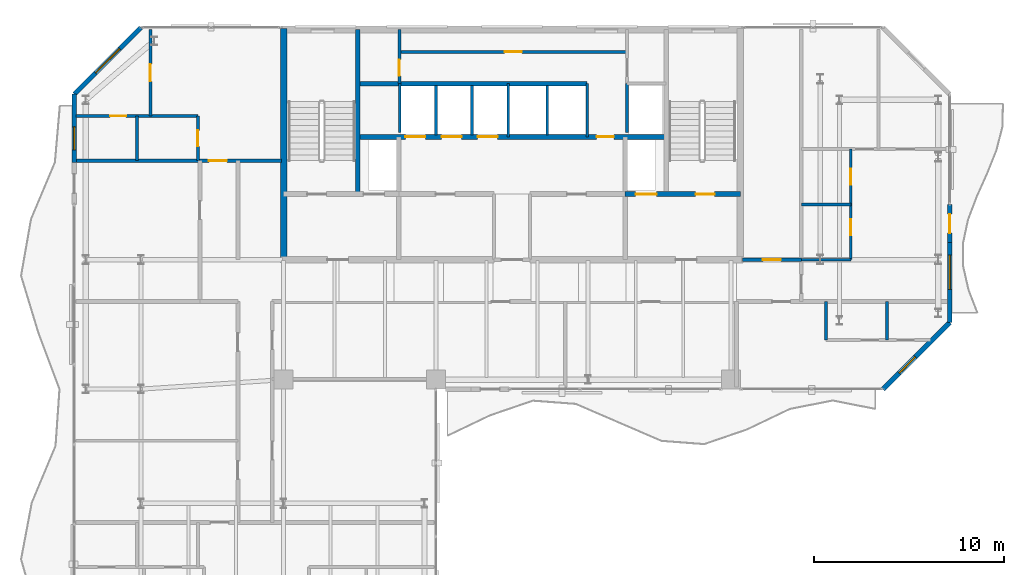
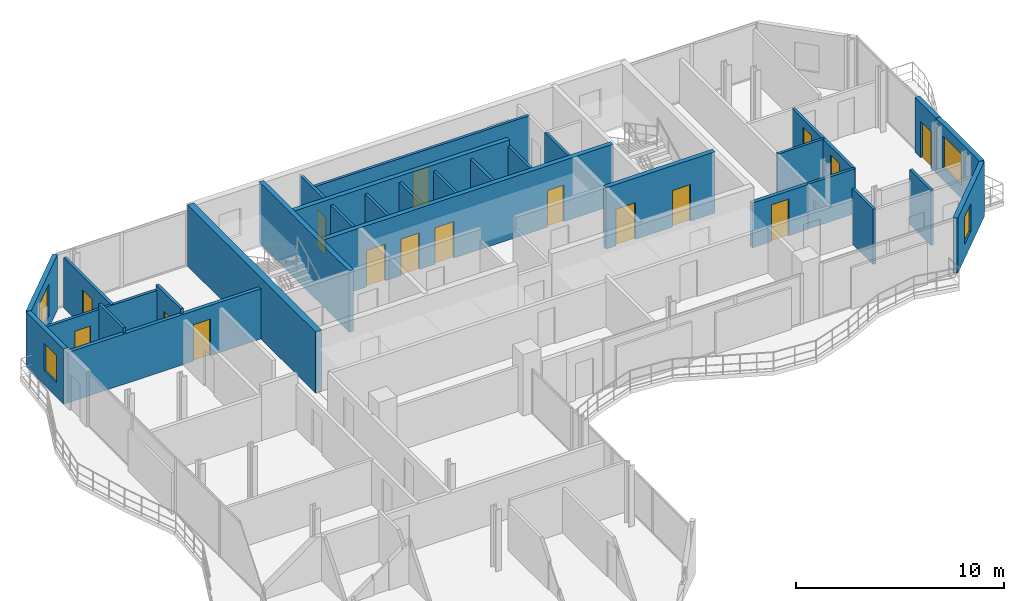
# One storey, part 19 of 23: 30 walls, 16 doors, 4 windows, 20 openings.
"""IFC4 building model written with IfcOpenShell, lengths in metres."""

from ifc_helpers import new_model, si_unit, direction, frame, frame_2d, origin, place, context, subcontext, project, spatial, rectangle, extrude, material, layer, layer_set, type_object, element, fill, save


model = new_model("IFC4")

# Units and contexts
model_context = context("Model", 3, precision=1e-05, world=origin(), true_north=direction((0.0, 1.0)))
body_context = subcontext(model_context, "Body", "Model", "MODEL_VIEW")
ifc_project = project(units=[si_unit("LENGTHUNIT", "METRE"), si_unit("AREAUNIT", "SQUARE_METRE"), si_unit("VOLUMEUNIT", "CUBIC_METRE"), si_unit("PLANEANGLEUNIT", "RADIAN"), si_unit("MASSUNIT", "GRAM", prefix="KILO")], contexts=[model_context])

# Site, building, storey
site_placement = place(None, origin())
site = spatial("IfcSite", under=ifc_project, at=site_placement, CompositionType="ELEMENT")
building_placement = place(site_placement, origin())
building = spatial("IfcBuilding", under=site, at=building_placement, Name="Catumbela Crestline Tower", CompositionType="ELEMENT")
storey_placement = place(building_placement, frame((0.0, 0.0, 204.6)))
storey = spatial("IfcBuildingStorey", under=building, at=storey_placement, Name="L53", CompositionType="ELEMENT", Elevation=204.6)

# Wall
ifc_material_1 = material(Name="Concrete C50/60", Category="concrete")
ifc_layer_1 = layer(ifc_material_1, 0.25, Name="Concrete C50/60")
ifc_layer_set_1 = layer_set([ifc_layer_1], Name="Concrete C50/60")
wall_type_1 = type_object("IfcWallType", Name="CW-250D", PredefinedType="SHEAR", material=ifc_layer_set_1)
wall_1_placement = place(storey_placement, frame((19.9, 34.25, 0.0), z_axis=(0.0, 0.0, 1.0), x_axis=(0.0, 1.0, 0.0)))
element("IfcWall", 1, at=wall_1_placement, inside=storey, type_object=wall_type_1, Name="L53 Structural Core Shear Wall WWEB", PredefinedType="SHEAR", context=body_context, shape_type="SweptSolid", body=[
    extrude(rectangle(XDim=8.65, YDim=0.25, at=frame_2d((4.325, 0.0))), origin(), (0.0, 0.0, 1.0), 3.6),
])

# Wall, openings, doors
wall_2_placement = place(storey_placement, frame((33.95, 34.25, 0.0), z_axis=(0.0, 0.0, 1.0), x_axis=(1.0, 0.0, 0.0)))
wall_2 = element("IfcWall", 2, at=wall_2_placement, inside=storey, type_object=wall_type_1, Name="L53 Structural Core Shear Wall ST2S", PredefinedType="SHEAR", context=body_context, shape_type="SweptSolid", body=[
    extrude(rectangle(XDim=6.05, YDim=0.25, at=frame_2d((3.025, 0.0))), origin(), (0.0, 0.0, 1.0), 3.6),
])
opening_1_placement = place(wall_2_placement, frame((3.7, 0.0, 0.0)))
opening_1 = element("IfcOpeningElement", 3, at=opening_1_placement, cuts=wall_2, Name="Opening DF9-100", PredefinedType="OPENING", context=body_context, shape_type="SweptSolid", body=[
    extrude(rectangle(XDim=1.0, YDim=2.15, at=frame_2d((0.5, 1.075))), frame((0.0, 0.135, 0.0), z_axis=(0.0, -1.0, 0.0), x_axis=(1.0, 0.0, 0.0)), (0.0, 0.0, 1.0), 0.27),
])
opening_2_placement = place(wall_2_placement, frame((0.55, 0.0, 0.0)))
opening_2 = element("IfcOpeningElement", 4, at=opening_2_placement, cuts=wall_2, Name="Opening LD-110", PredefinedType="OPENING", context=body_context, shape_type="SweptSolid", body=[
    extrude(rectangle(XDim=1.1, YDim=2.15, at=frame_2d((0.55, 1.075))), frame((0.0, 0.135, 0.0), z_axis=(0.0, -1.0, 0.0), x_axis=(1.0, 0.0, 0.0)), (0.0, 0.0, 1.0), 0.27),
])
ifc_material_2 = material(Name="Stainless steel EN 1.4401", Category="steel")
door_type_1 = type_object("IfcDoorType", Name="DF9-100", OperationType="NOTDEFINED", PredefinedType="DOOR", material=ifc_material_2)
door_1_placement = place(opening_1_placement, origin())
door_1 = element("IfcDoor", 5, at=door_1_placement, inside=storey, type_object=door_type_1, Name="L53 Interior Door DR-L53-ST02", OperationType="SINGLE_SWING_RIGHT", OverallHeight=2.15, OverallWidth=1.0, PredefinedType="DOOR", context=body_context, shape_type="SweptSolid", body=[
    extrude(rectangle(XDim=1.0, YDim=2.15, at=frame_2d((0.5, 1.075))), frame((0.0, 0.025, 0.0), z_axis=(0.0, -1.0, 0.0), x_axis=(1.0, 0.0, 0.0)), (0.0, 0.0, 1.0), 0.05),
])
fill(opening_1, door_1)
door_type_2 = type_object("IfcDoorType", Name="LD-110", OperationType="NOTDEFINED", PredefinedType="DOOR", material=ifc_material_2)
door_2_placement = place(opening_2_placement, origin())
door_2 = element("IfcDoor", 6, at=door_2_placement, inside=storey, type_object=door_type_2, Name="L53 Lift Landing Sliding Door FL-02", OperationType="DOUBLE_DOOR_SLIDING", OverallHeight=2.15, OverallWidth=1.1, PredefinedType="DOOR", context=body_context, shape_type="SweptSolid", body=[
    extrude(rectangle(XDim=1.1, YDim=2.15, at=frame_2d((0.55, 1.075))), frame((0.0, 0.025, 0.0), z_axis=(0.0, -1.0, 0.0), x_axis=(1.0, 0.0, 0.0)), (0.0, 0.0, 1.0), 0.05),
])
fill(opening_2, door_2)

wall_3_placement = place(storey_placement, frame((19.9, 37.25, 0.0), z_axis=(0.0, 0.0, 1.0), x_axis=(1.0, 0.0, 0.0)))
wall_3 = element("IfcWall", 7, at=wall_3_placement, inside=storey, type_object=wall_type_1, Name="L53 Structural Core Shear Wall LIFTN", PredefinedType="SHEAR", context=body_context, shape_type="SweptSolid", body=[
    extrude(rectangle(XDim=16.2, YDim=0.25, at=frame_2d((8.1, 0.0))), origin(), (0.0, 0.0, 1.0), 3.6),
])
opening_3_placement = place(wall_3_placement, frame((12.55, 0.0, 0.0)))
opening_3 = element("IfcOpeningElement", 8, at=opening_3_placement, cuts=wall_3, Name="Opening DF9-090", PredefinedType="OPENING", context=body_context, shape_type="SweptSolid", body=[
    extrude(rectangle(XDim=0.9, YDim=2.15, at=frame_2d((0.45, 1.075))), frame((0.0, 0.135, 0.0), z_axis=(0.0, -1.0, 0.0), x_axis=(1.0, 0.0, 0.0)), (0.0, 0.0, 1.0), 0.27),
])
opening_4_placement = place(wall_3_placement, frame((2.5, 0.0, 0.0)))
opening_4 = element("IfcOpeningElement", 9, at=opening_4_placement, cuts=wall_3, Name="Opening LD-105", PredefinedType="OPENING", context=body_context, shape_type="SweptSolid", body=[
    extrude(rectangle(XDim=1.05, YDim=2.15, at=frame_2d((0.525, 1.075))), frame((0.0, 0.135, 0.0), z_axis=(0.0, -1.0, 0.0), x_axis=(1.0, 0.0, 0.0)), (0.0, 0.0, 1.0), 0.27),
])
opening_5_placement = place(wall_3_placement, frame((4.4, 0.0, 0.0)))
opening_5 = element("IfcOpeningElement", 10, at=opening_5_placement, cuts=wall_3, Name="Opening LD-105", PredefinedType="OPENING", context=body_context, shape_type="SweptSolid", body=[
    extrude(rectangle(XDim=1.05, YDim=2.15, at=frame_2d((0.525, 1.075))), frame((0.0, 0.135, 0.0), z_axis=(0.0, -1.0, 0.0), x_axis=(1.0, 0.0, 0.0)), (0.0, 0.0, 1.0), 0.27),
])
opening_6_placement = place(wall_3_placement, frame((6.3, 0.0, 0.0)))
opening_6 = element("IfcOpeningElement", 11, at=opening_6_placement, cuts=wall_3, Name="Opening LD-105", PredefinedType="OPENING", context=body_context, shape_type="SweptSolid", body=[
    extrude(rectangle(XDim=1.05, YDim=2.15, at=frame_2d((0.525, 1.075))), frame((0.0, 0.135, 0.0), z_axis=(0.0, -1.0, 0.0), x_axis=(1.0, 0.0, 0.0)), (0.0, 0.0, 1.0), 0.27),
])
door_type_3 = type_object("IfcDoorType", Name="DF9-090", OperationType="NOTDEFINED", PredefinedType="DOOR", material=ifc_material_2)
door_3_placement = place(opening_3_placement, origin())
door_3 = element("IfcDoor", 12, at=door_3_placement, inside=storey, type_object=door_type_3, Name="L53 Interior Door DR-L53-CPAS1", OperationType="SINGLE_SWING_LEFT", OverallHeight=2.15, OverallWidth=0.9, PredefinedType="DOOR", context=body_context, shape_type="SweptSolid", body=[
    extrude(rectangle(XDim=0.9, YDim=2.15, at=frame_2d((0.45, 1.075))), frame((0.0, 0.025, 0.0), z_axis=(0.0, -1.0, 0.0), x_axis=(1.0, 0.0, 0.0)), (0.0, 0.0, 1.0), 0.05),
])
fill(opening_3, door_3)
door_type_4 = type_object("IfcDoorType", Name="LD-105", OperationType="NOTDEFINED", PredefinedType="DOOR", material=ifc_material_2)
door_4_placement = place(opening_4_placement, origin())
door_4 = element("IfcDoor", 13, at=door_4_placement, inside=storey, type_object=door_type_4, Name="L53 Lift Landing Sliding Door PL-H1", OperationType="DOUBLE_DOOR_SLIDING", OverallHeight=2.15, OverallWidth=1.05, PredefinedType="DOOR", context=body_context, shape_type="SweptSolid", body=[
    extrude(rectangle(XDim=1.05, YDim=2.15, at=frame_2d((0.525, 1.075))), frame((0.0, 0.025, 0.0), z_axis=(0.0, -1.0, 0.0), x_axis=(1.0, 0.0, 0.0)), (0.0, 0.0, 1.0), 0.05),
])
fill(opening_4, door_4)
door_5_placement = place(opening_5_placement, origin())
door_5 = element("IfcDoor", 14, at=door_5_placement, inside=storey, type_object=door_type_4, Name="L53 Lift Landing Sliding Door PL-H2", OperationType="DOUBLE_DOOR_SLIDING", OverallHeight=2.15, OverallWidth=1.05, PredefinedType="DOOR", context=body_context, shape_type="SweptSolid", body=[
    extrude(rectangle(XDim=1.05, YDim=2.15, at=frame_2d((0.525, 1.075))), frame((0.0, 0.025, 0.0), z_axis=(0.0, -1.0, 0.0), x_axis=(1.0, 0.0, 0.0)), (0.0, 0.0, 1.0), 0.05),
])
fill(opening_5, door_5)
door_6_placement = place(opening_6_placement, origin())
door_6 = element("IfcDoor", 15, at=door_6_placement, inside=storey, type_object=door_type_4, Name="L53 Lift Landing Sliding Door PL-H3", OperationType="DOUBLE_DOOR_SLIDING", OverallHeight=2.15, OverallWidth=1.05, PredefinedType="DOOR", context=body_context, shape_type="SweptSolid", body=[
    extrude(rectangle(XDim=1.05, YDim=2.15, at=frame_2d((0.525, 1.075))), frame((0.0, 0.025, 0.0), z_axis=(0.0, -1.0, 0.0), x_axis=(1.0, 0.0, 0.0)), (0.0, 0.0, 1.0), 0.05),
])
fill(opening_6, door_6)

# Walls
wall_4_placement = place(storey_placement, frame((19.9, 40.05, 0.0), z_axis=(0.0, 0.0, 1.0), x_axis=(1.0, 0.0, 0.0)))
element("IfcWall", 16, at=wall_4_placement, inside=storey, type_object=wall_type_1, Name="L53 Structural Core Shear Wall COREN", PredefinedType="SHEAR", context=body_context, shape_type="SweptSolid", body=[
    extrude(rectangle(XDim=12.05, YDim=0.25, at=frame_2d((6.025, 0.0))), origin(), (0.0, 0.0, 1.0), 3.6),
])
ifc_layer_2 = layer(ifc_material_1, 0.35, Name="Concrete C50/60")
ifc_layer_set_2 = layer_set([ifc_layer_2], Name="Concrete C50/60")
wall_type_2 = type_object("IfcWallType", Name="CW-350B", PredefinedType="SHEAR", material=ifc_layer_set_2)
wall_5_placement = place(storey_placement, frame((16.0, 30.65, 0.0), z_axis=(0.0, 0.0, 1.0), x_axis=(0.0, 1.0, 0.0)))
element("IfcWall", 17, at=wall_5_placement, inside=storey, type_object=wall_type_2, Name="L53 Structural Core Shear Wall W", PredefinedType="SHEAR", context=body_context, shape_type="SweptSolid", body=[
    extrude(rectangle(XDim=12.3, YDim=0.35, at=frame_2d((6.15, 0.0))), origin(), (0.0, 0.0, 1.0), 3.6),
])

# Wall, opening, door
ifc_material_3 = material(Name="Acoustic gypsum and mineral-wool partition")
ifc_layer_3 = layer(ifc_material_3, 0.2, Name="Acoustic gypsum and mineral-wool partition")
ifc_layer_set_3 = layer_set([ifc_layer_3], Name="Acoustic gypsum and mineral-wool partition")
wall_type_3 = type_object("IfcWallType", Name="WC-200", PredefinedType="PARTITIONING", material=ifc_layer_set_3)
wall_6_placement = place(storey_placement, frame((5.1, 36.0, 0.0), z_axis=(0.0, 0.0, 1.0), x_axis=(1.0, 0.0, 0.0)))
wall_6 = element("IfcWall", 18, at=wall_6_placement, inside=storey, type_object=wall_type_3, Name="L53 Interior Partition PW-L53-NW1-ENT", PredefinedType="PARTITIONING", context=body_context, shape_type="SweptSolid", body=[
    extrude(rectangle(XDim=10.8, YDim=0.2, at=frame_2d((5.4, 0.0))), origin(), (0.0, 0.0, 1.0), 2.95),
])
opening_7_placement = place(wall_6_placement, frame((6.975, 0.0, 0.0)))
opening_7 = element("IfcOpeningElement", 19, at=opening_7_placement, cuts=wall_6, Name="Opening DF6-095", PredefinedType="OPENING", context=body_context, shape_type="SweptSolid", body=[
    extrude(rectangle(XDim=0.95, YDim=2.15, at=frame_2d((0.475, 1.075))), frame((0.0, 0.11, 0.0), z_axis=(0.0, -1.0, 0.0), x_axis=(1.0, 0.0, 0.0)), (0.0, 0.0, 1.0), 0.22),
])
ifc_material_4 = material(Name="Aluminium alloy AW-6060-T66", Category="aluminium")
door_type_5 = type_object("IfcDoorType", Name="DF6-095", OperationType="NOTDEFINED", PredefinedType="DOOR", material=ifc_material_4)
door_7_placement = place(opening_7_placement, origin())
door_7 = element("IfcDoor", 20, at=door_7_placement, inside=storey, type_object=door_type_5, Name="L53 Interior Door DR-L53-NW1-ENT", OperationType="SINGLE_SWING_LEFT", OverallHeight=2.15, OverallWidth=0.95, PredefinedType="DOOR", context=body_context, shape_type="SweptSolid", body=[
    extrude(rectangle(XDim=0.95, YDim=2.15, at=frame_2d((0.475, 1.075))), frame((0.0, 0.025, 0.0), z_axis=(0.0, -1.0, 0.0), x_axis=(1.0, 0.0, 0.0)), (0.0, 0.0, 1.0), 0.05),
])
fill(opening_7, door_7)

wall_7_placement = place(storey_placement, frame((40.1, 30.8, 0.0), z_axis=(0.0, 0.0, 1.0), x_axis=(1.0, 0.0, 0.0)))
wall_7 = element("IfcWall", 21, at=wall_7_placement, inside=storey, type_object=wall_type_3, Name="L53 Interior Partition PW-L53-NERM-ENT", PredefinedType="PARTITIONING", context=body_context, shape_type="SweptSolid", body=[
    extrude(rectangle(XDim=3.1, YDim=0.2, at=frame_2d((1.55, 0.0))), origin(), (0.0, 0.0, 1.0), 2.63),
])
opening_8_placement = place(wall_7_placement, frame((1.075, 0.0, 0.0)))
opening_8 = element("IfcOpeningElement", 22, at=opening_8_placement, cuts=wall_7, Name="Opening DF6-095", PredefinedType="OPENING", context=body_context, shape_type="SweptSolid", body=[
    extrude(rectangle(XDim=0.95, YDim=2.15, at=frame_2d((0.475, 1.075))), frame((0.0, 0.11, 0.0), z_axis=(0.0, -1.0, 0.0), x_axis=(1.0, 0.0, 0.0)), (0.0, 0.0, 1.0), 0.22),
])
door_8_placement = place(opening_8_placement, origin())
door_8 = element("IfcDoor", 23, at=door_8_placement, inside=storey, type_object=door_type_5, Name="L53 Interior Door DR-L53-NERM-ENT", OperationType="SINGLE_SWING_LEFT", OverallHeight=2.15, OverallWidth=0.95, PredefinedType="DOOR", context=body_context, shape_type="SweptSolid", body=[
    extrude(rectangle(XDim=0.95, YDim=2.15, at=frame_2d((0.475, 1.075))), frame((0.0, 0.025, 0.0), z_axis=(0.0, -1.0, 0.0), x_axis=(1.0, 0.0, 0.0)), (0.0, 0.0, 1.0), 0.05),
])
fill(opening_8, door_8)

# Wall, opening, window
ifc_material_5 = material(Name="Angolan grey-ochre granite", Category="masonry")
ifc_layer_4 = layer(ifc_material_5, 0.25, Name="Angolan grey-ochre granite")
ifc_layer_set_4 = layer_set([ifc_layer_4], Name="Angolan grey-ochre granite")
wall_type_4 = type_object("IfcWallType", Name="WE-250", PredefinedType="STANDARD", material=ifc_layer_set_4)
wall_8_placement = place(storey_placement, frame((47.5, 24.0, 0.0), z_axis=(0.0, 0.0, 1.0), x_axis=(0.707106781187, 0.707106781187, 0.0)))
wall_8 = element("IfcWall", 24, at=wall_8_placement, inside=storey, type_object=wall_type_4, Name="L53 Granite Punched Window Wall 4-1", PredefinedType="STANDARD", context=body_context, shape_type="SweptSolid", body=[
    extrude(rectangle(XDim=4.9497, YDim=0.25, at=frame_2d((2.4748, 0.0))), origin(), (0.0, 0.0, 1.0), 3.24),
])
opening_9_placement = place(wall_8_placement, frame((1.1962, 0.0, 0.85)))
opening_9 = element("IfcOpeningElement", 25, at=opening_9_placement, cuts=wall_8, Name="Opening WN-02", PredefinedType="OPENING", context=body_context, shape_type="SweptSolid", body=[
    extrude(rectangle(XDim=1.2, YDim=1.6, at=frame_2d((0.6, 0.8))), frame((0.0, 0.135, 0.0), z_axis=(0.0, -1.0, 0.0), x_axis=(1.0, 0.0, 0.0)), (0.0, 0.0, 1.0), 0.27),
])
ifc_material_6 = material(Name="Low-E laminated solar-control double glazing", Category="glass")
window_type_1 = type_object("IfcWindowType", Name="WO-1200", PartitioningType="SINGLE_PANEL", PredefinedType="WINDOW", material=ifc_material_6)
window_1_placement = place(opening_9_placement, origin())
window_1 = element("IfcWindow", 26, at=window_1_placement, inside=storey, type_object=window_type_1, Name="L53 Facade Vision Window 358", OverallHeight=1.6, OverallWidth=1.2, PartitioningType="SINGLE_PANEL", PredefinedType="WINDOW", context=body_context, shape_type="SweptSolid", body=[
    extrude(rectangle(XDim=1.2, YDim=1.6, at=frame_2d((0.6, 0.8))), frame((0.0, 0.03, 0.0), z_axis=(0.0, -1.0, 0.0), x_axis=(1.0, 0.0, 0.0)), (0.0, 0.0, 1.0), 0.06),
])
fill(opening_9, window_1)

# Wall, opening, door
wall_9_placement = place(storey_placement, frame((51.0, 31.7, 0.0), z_axis=(0.0, 0.0, 1.0), x_axis=(0.0, 1.0, 0.0)))
wall_9 = element("IfcWall", 27, at=wall_9_placement, inside=storey, type_object=wall_type_4, Name="L53 Exterior Threshold Portal Wall DR-L53-WBAL-2", PredefinedType="STANDARD", context=body_context, shape_type="SweptSolid", body=[
    extrude(rectangle(XDim=2.0, YDim=0.25, at=frame_2d((1.0, 0.0))), origin(), (0.0, 0.0, 1.0), 3.24),
])
opening_10_placement = place(wall_9_placement, frame((0.5, 0.0, 0.0)))
opening_10 = element("IfcOpeningElement", 28, at=opening_10_placement, cuts=wall_9, Name="Opening DB-L53-2", PredefinedType="OPENING", context=body_context, shape_type="SweptSolid", body=[
    extrude(rectangle(XDim=1.0, YDim=2.15, at=frame_2d((0.5, 1.075))), frame((0.0, 0.135, 0.0), z_axis=(0.0, -1.0, 0.0), x_axis=(1.0, 0.0, 0.0)), (0.0, 0.0, 1.0), 0.27),
])
door_type_6 = type_object("IfcDoorType", Name="DB-1000", OperationType="NOTDEFINED", PredefinedType="DOOR", material=ifc_material_4)
door_9_placement = place(opening_10_placement, origin())
door_9 = element("IfcDoor", 29, at=door_9_placement, inside=storey, type_object=door_type_6, Name="L53 Wave Balcony Terrace Door 2", OperationType="SINGLE_SWING_RIGHT", OverallHeight=2.15, OverallWidth=1.0, PredefinedType="DOOR", context=body_context, shape_type="SweptSolid", body=[
    extrude(rectangle(XDim=1.0, YDim=2.15, at=frame_2d((0.5, 1.075))), frame((0.0, 0.025, 0.0), z_axis=(0.0, -1.0, 0.0), x_axis=(1.0, 0.0, 0.0)), (0.0, 0.0, 1.0), 0.05),
])
fill(opening_10, door_9)

# Wall, opening, window
wall_10_placement = place(storey_placement, frame((51.0, 27.5, 0.0), z_axis=(0.0, 0.0, 1.0), x_axis=(0.0, 1.0, 0.0)))
wall_10 = element("IfcWall", 30, at=wall_10_placement, inside=storey, type_object=wall_type_4, Name="L53 Granite Punched Window Wall 5-1", PredefinedType="STANDARD", context=body_context, shape_type="SweptSolid", body=[
    extrude(rectangle(XDim=4.2, YDim=0.25, at=frame_2d((2.1, 0.0))), origin(), (0.0, 0.0, 1.0), 3.24),
])
opening_11_placement = place(wall_10_placement, frame((1.74, 0.0, 0.75)))
opening_11 = element("IfcOpeningElement", 31, at=opening_11_placement, cuts=wall_10, Name="Opening WN-01", PredefinedType="OPENING", context=body_context, shape_type="SweptSolid", body=[
    extrude(rectangle(XDim=1.8, YDim=1.85, at=frame_2d((0.9, 0.925))), frame((0.0, 0.135, 0.0), z_axis=(0.0, -1.0, 0.0), x_axis=(1.0, 0.0, 0.0)), (0.0, 0.0, 1.0), 0.27),
])
window_type_2 = type_object("IfcWindowType", Name="WF-1800", PartitioningType="SINGLE_PANEL", PredefinedType="WINDOW", material=ifc_material_6)
window_2_placement = place(opening_11_placement, origin())
window_2 = element("IfcWindow", 32, at=window_2_placement, inside=storey, type_object=window_type_2, Name="L53 Facade Vision Window 359", OverallHeight=1.85, OverallWidth=1.8, PartitioningType="SINGLE_PANEL", PredefinedType="WINDOW", context=body_context, shape_type="SweptSolid", body=[
    extrude(rectangle(XDim=1.8, YDim=1.85, at=frame_2d((0.9, 0.925))), frame((0.0, 0.03, 0.0), z_axis=(0.0, -1.0, 0.0), x_axis=(1.0, 0.0, 0.0)), (0.0, 0.0, 1.0), 0.06),
])
fill(opening_11, window_2)

wall_11_placement = place(storey_placement, frame((8.5, 43.0, 0.0), z_axis=(0.0, 0.0, 1.0), x_axis=(-0.707106781187, -0.707106781187, 0.0)))
wall_11 = element("IfcWall", 33, at=wall_11_placement, inside=storey, type_object=wall_type_4, Name="L53 Granite Punched Window Wall 8-1", PredefinedType="STANDARD", context=body_context, shape_type="SweptSolid", body=[
    extrude(rectangle(XDim=4.9497, YDim=0.25, at=frame_2d((2.4748, 0.0))), origin(), (0.0, 0.0, 1.0), 3.24),
])
opening_12_placement = place(wall_11_placement, frame((1.5749, 0.0, 0.75)))
opening_12 = element("IfcOpeningElement", 34, at=opening_12_placement, cuts=wall_11, Name="Opening WN-01", PredefinedType="OPENING", context=body_context, shape_type="SweptSolid", body=[
    extrude(rectangle(XDim=1.8, YDim=1.85, at=frame_2d((0.9, 0.925))), frame((0.0, 0.135, 0.0), z_axis=(0.0, -1.0, 0.0), x_axis=(1.0, 0.0, 0.0)), (0.0, 0.0, 1.0), 0.27),
])
window_3_placement = place(opening_12_placement, origin())
window_3 = element("IfcWindow", 35, at=window_3_placement, inside=storey, type_object=window_type_2, Name="L53 Facade Vision Window 361", OverallHeight=1.85, OverallWidth=1.8, PartitioningType="SINGLE_PANEL", PredefinedType="WINDOW", context=body_context, shape_type="SweptSolid", body=[
    extrude(rectangle(XDim=1.8, YDim=1.85, at=frame_2d((0.9, 0.925))), frame((0.0, 0.03, 0.0), z_axis=(0.0, -1.0, 0.0), x_axis=(1.0, 0.0, 0.0)), (0.0, 0.0, 1.0), 0.06),
])
fill(opening_12, window_3)

wall_12_placement = place(storey_placement, frame((5.0, 39.5, 0.0), z_axis=(0.0, 0.0, 1.0), x_axis=(0.0, -1.0, 0.0)))
wall_12 = element("IfcWall", 36, at=wall_12_placement, inside=storey, type_object=wall_type_4, Name="L53 Granite Punched Window Wall 9-1", PredefinedType="STANDARD", context=body_context, shape_type="SweptSolid", body=[
    extrude(rectangle(XDim=3.6, YDim=0.25, at=frame_2d((1.8, 0.0))), origin(), (0.0, 0.0, 1.0), 3.24),
])
opening_13_placement = place(wall_12_placement, frame((1.725, 0.0, 0.85)))
opening_13 = element("IfcOpeningElement", 37, at=opening_13_placement, cuts=wall_12, Name="Opening WN-02", PredefinedType="OPENING", context=body_context, shape_type="SweptSolid", body=[
    extrude(rectangle(XDim=1.2, YDim=1.6, at=frame_2d((0.6, 0.8))), frame((0.0, 0.135, 0.0), z_axis=(0.0, -1.0, 0.0), x_axis=(1.0, 0.0, 0.0)), (0.0, 0.0, 1.0), 0.27),
])
window_4_placement = place(opening_13_placement, origin())
window_4 = element("IfcWindow", 38, at=window_4_placement, inside=storey, type_object=window_type_1, Name="L53 Facade Vision Window 362", OverallHeight=1.6, OverallWidth=1.2, PartitioningType="SINGLE_PANEL", PredefinedType="WINDOW", context=body_context, shape_type="SweptSolid", body=[
    extrude(rectangle(XDim=1.2, YDim=1.6, at=frame_2d((0.6, 0.8))), frame((0.0, 0.03, 0.0), z_axis=(0.0, -1.0, 0.0), x_axis=(1.0, 0.0, 0.0)), (0.0, 0.0, 1.0), 0.06),
])
fill(opening_13, window_4)

# Wall, opening, door
ifc_layer_5 = layer(ifc_material_3, 0.15, Name="Acoustic gypsum and mineral-wool partition")
ifc_layer_set_5 = layer_set([ifc_layer_5], Name="Acoustic gypsum and mineral-wool partition")
wall_type_5 = type_object("IfcWallType", Name="WP-150", PredefinedType="PARTITIONING", material=ifc_layer_set_5)
wall_13_placement = place(storey_placement, frame((22.08, 40.05, 0.0), z_axis=(0.0, 0.0, 1.0), x_axis=(0.0, 1.0, 0.0)))
wall_13 = element("IfcWall", 39, at=wall_13_placement, inside=storey, type_object=wall_type_5, Name="L53 Interior Partition PW-L53-CR-WCW", PredefinedType="PARTITIONING", context=body_context, shape_type="SweptSolid", body=[
    extrude(rectangle(XDim=2.85, YDim=0.15, at=frame_2d((1.425, 0.0))), origin(), (0.0, 0.0, 1.0), 3.24),
])
opening_14_placement = place(wall_13_placement, frame((0.41, 0.0, 0.0)))
opening_14 = element("IfcOpeningElement", 40, at=opening_14_placement, cuts=wall_13, Name="Opening DI-085", PredefinedType="OPENING", context=body_context, shape_type="SweptSolid", body=[
    extrude(rectangle(XDim=0.85, YDim=2.15, at=frame_2d((0.425, 1.075))), frame((0.0, 0.085, 0.0), z_axis=(0.0, -1.0, 0.0), x_axis=(1.0, 0.0, 0.0)), (0.0, 0.0, 1.0), 0.17),
])
door_type_7 = type_object("IfcDoorType", Name="DI-085", OperationType="NOTDEFINED", PredefinedType="DOOR", material=ifc_material_4)
door_10_placement = place(opening_14_placement, origin())
door_10 = element("IfcDoor", 41, at=door_10_placement, inside=storey, type_object=door_type_7, Name="L53 Interior Door DR-L53-CRWC", OperationType="SINGLE_SWING_LEFT", OverallHeight=2.15, OverallWidth=0.85, PredefinedType="DOOR", context=body_context, shape_type="SweptSolid", body=[
    extrude(rectangle(XDim=0.85, YDim=2.15, at=frame_2d((0.425, 1.075))), frame((0.0, 0.025, 0.0), z_axis=(0.0, -1.0, 0.0), x_axis=(1.0, 0.0, 0.0)), (0.0, 0.0, 1.0), 0.05),
])
fill(opening_14, door_10)

wall_14_placement = place(storey_placement, frame((22.08, 41.72, 0.0), z_axis=(0.0, 0.0, 1.0), x_axis=(1.0, 0.0, 0.0)))
wall_14 = element("IfcWall", 42, at=wall_14_placement, inside=storey, type_object=wall_type_5, Name="L53 Interior Partition PW-L53-CR-MID", PredefinedType="PARTITIONING", context=body_context, shape_type="SweptSolid", body=[
    extrude(rectangle(XDim=11.97, YDim=0.15, at=frame_2d((5.985, 0.0))), origin(), (0.0, 0.0, 1.0), 3.24),
])
opening_15_placement = place(wall_14_placement, frame((5.535, 0.0, 0.0)))
opening_15 = element("IfcOpeningElement", 43, at=opening_15_placement, cuts=wall_14, Name="Opening DF9-090", PredefinedType="OPENING", context=body_context, shape_type="SweptSolid", body=[
    extrude(rectangle(XDim=0.9, YDim=2.15, at=frame_2d((0.45, 1.075))), frame((0.0, 0.085, 0.0), z_axis=(0.0, -1.0, 0.0), x_axis=(1.0, 0.0, 0.0)), (0.0, 0.0, 1.0), 0.17),
])
door_11_placement = place(opening_15_placement, origin())
door_11 = element("IfcDoor", 44, at=door_11_placement, inside=storey, type_object=door_type_3, Name="L53 Interior Door DR-L53-CRMID", OperationType="SINGLE_SWING_LEFT", OverallHeight=2.15, OverallWidth=0.9, PredefinedType="DOOR", context=body_context, shape_type="SweptSolid", body=[
    extrude(rectangle(XDim=0.9, YDim=2.15, at=frame_2d((0.45, 1.075))), frame((0.0, 0.025, 0.0), z_axis=(0.0, -1.0, 0.0), x_axis=(1.0, 0.0, 0.0)), (0.0, 0.0, 1.0), 0.05),
])
fill(opening_15, door_11)

wall_15_placement = place(storey_placement, frame((11.5, 36.0, 0.0), z_axis=(0.0, 0.0, 1.0), x_axis=(0.0, 1.0, 0.0)))
wall_15 = element("IfcWall", 45, at=wall_15_placement, inside=storey, type_object=wall_type_5, Name="L53 Interior Partition PW-L53-NW1-KBE", PredefinedType="PARTITIONING", context=body_context, shape_type="SweptSolid", body=[
    extrude(rectangle(XDim=2.35, YDim=0.15, at=frame_2d((1.175, 0.0))), origin(), (0.0, 0.0, 1.0), 3.24),
])
opening_16_placement = place(wall_15_placement, frame((0.75, 0.0, 0.0)))
opening_16 = element("IfcOpeningElement", 46, at=opening_16_placement, cuts=wall_15, Name="Opening DI-085", PredefinedType="OPENING", context=body_context, shape_type="SweptSolid", body=[
    extrude(rectangle(XDim=0.85, YDim=2.15, at=frame_2d((0.425, 1.075))), frame((0.0, 0.085, 0.0), z_axis=(0.0, -1.0, 0.0), x_axis=(1.0, 0.0, 0.0)), (0.0, 0.0, 1.0), 0.17),
])
door_12_placement = place(opening_16_placement, origin())
door_12 = element("IfcDoor", 47, at=door_12_placement, inside=storey, type_object=door_type_7, Name="L53 Interior Door DR-L53-NW1-BTH", OperationType="SINGLE_SWING_LEFT", OverallHeight=2.15, OverallWidth=0.85, PredefinedType="DOOR", context=body_context, shape_type="SweptSolid", body=[
    extrude(rectangle(XDim=0.85, YDim=2.15, at=frame_2d((0.425, 1.075))), frame((0.0, 0.025, 0.0), z_axis=(0.0, -1.0, 0.0), x_axis=(1.0, 0.0, 0.0)), (0.0, 0.0, 1.0), 0.05),
])
fill(opening_16, door_12)

# Wall
wall_16_placement = place(storey_placement, frame((8.3, 36.0, 0.0), z_axis=(0.0, 0.0, 1.0), x_axis=(0.0, 1.0, 0.0)))
element("IfcWall", 48, at=wall_16_placement, inside=storey, type_object=wall_type_5, Name="L53 Interior Partition PW-L53-NW1-KBM", PredefinedType="PARTITIONING", context=body_context, shape_type="SweptSolid", body=[
    extrude(rectangle(XDim=2.35, YDim=0.15, at=frame_2d((1.175, 0.0))), origin(), (0.0, 0.0, 1.0), 3.24),
])

# Wall, opening, door
wall_17_placement = place(storey_placement, frame((5.1, 38.35, 0.0), z_axis=(0.0, 0.0, 1.0), x_axis=(1.0, 0.0, 0.0)))
wall_17 = element("IfcWall", 49, at=wall_17_placement, inside=storey, type_object=wall_type_5, Name="L53 Interior Partition PW-L53-NW1-KBD1", PredefinedType="PARTITIONING", context=body_context, shape_type="SweptSolid", body=[
    extrude(rectangle(XDim=6.4, YDim=0.15, at=frame_2d((3.2, 0.0))), origin(), (0.0, 0.0, 1.0), 2.95),
])
opening_17_placement = place(wall_17_placement, frame((1.7795, 0.0, 0.0)))
opening_17 = element("IfcOpeningElement", 50, at=opening_17_placement, cuts=wall_17, Name="Opening DI-085", PredefinedType="OPENING", context=body_context, shape_type="SweptSolid", body=[
    extrude(rectangle(XDim=0.85, YDim=2.15, at=frame_2d((0.425, 1.075))), frame((0.0, 0.085, 0.0), z_axis=(0.0, -1.0, 0.0), x_axis=(1.0, 0.0, 0.0)), (0.0, 0.0, 1.0), 0.17),
])
door_13_placement = place(opening_17_placement, origin())
door_13 = element("IfcDoor", 51, at=door_13_placement, inside=storey, type_object=door_type_7, Name="L53 Interior Door DR-L53-NW1-KIT", OperationType="SINGLE_SWING_RIGHT", OverallHeight=2.15, OverallWidth=0.85, PredefinedType="DOOR", context=body_context, shape_type="SweptSolid", body=[
    extrude(rectangle(XDim=0.85, YDim=2.15, at=frame_2d((0.425, 1.075))), frame((0.0, 0.025, 0.0), z_axis=(0.0, -1.0, 0.0), x_axis=(1.0, 0.0, 0.0)), (0.0, 0.0, 1.0), 0.05),
])
fill(opening_17, door_13)

wall_18_placement = place(storey_placement, frame((9.0, 38.35, 0.0), z_axis=(0.0, 0.0, 1.0), x_axis=(0.0, 1.0, 0.0)))
wall_18 = element("IfcWall", 52, at=wall_18_placement, inside=storey, type_object=wall_type_5, Name="L53 Interior Partition PW-L53-NW1-BD1W", PredefinedType="PARTITIONING", context=body_context, shape_type="SweptSolid", body=[
    extrude(rectangle(XDim=4.55, YDim=0.15, at=frame_2d((2.275, 0.0))), origin(), (0.0, 0.0, 1.0), 2.95),
])
opening_18_placement = place(wall_18_placement, frame((1.825, 0.0, 0.0)))
opening_18 = element("IfcOpeningElement", 53, at=opening_18_placement, cuts=wall_18, Name="Opening DI-090", PredefinedType="OPENING", context=body_context, shape_type="SweptSolid", body=[
    extrude(rectangle(XDim=0.9, YDim=2.15, at=frame_2d((0.45, 1.075))), frame((0.0, 0.085, 0.0), z_axis=(0.0, -1.0, 0.0), x_axis=(1.0, 0.0, 0.0)), (0.0, 0.0, 1.0), 0.17),
])
door_type_8 = type_object("IfcDoorType", Name="DI-090", OperationType="NOTDEFINED", PredefinedType="DOOR", material=ifc_material_4)
door_14_placement = place(opening_18_placement, origin())
door_14 = element("IfcDoor", 54, at=door_14_placement, inside=storey, type_object=door_type_8, Name="L53 Interior Door DR-L53-NW1-BD1", OperationType="SINGLE_SWING_LEFT", OverallHeight=2.15, OverallWidth=0.9, PredefinedType="DOOR", context=body_context, shape_type="SweptSolid", body=[
    extrude(rectangle(XDim=0.9, YDim=2.15, at=frame_2d((0.45, 1.075))), frame((0.0, 0.025, 0.0), z_axis=(0.0, -1.0, 0.0), x_axis=(1.0, 0.0, 0.0)), (0.0, 0.0, 1.0), 0.05),
])
fill(opening_18, door_14)

# Walls
for number, where, z_axis, x_axis, name in (
    (55, (43.2, 30.8, 0.0), (0.0, 0.0, 1.0), (1.0, 0.0, 0.0), "L53 Interior Partition PW-L53-NE1-KBS"),
    (56, (43.2, 33.704, 0.0), (0.0, 0.0, 1.0), (1.0, 0.0, 0.0), "L53 Interior Partition PW-L53-NE1-KBM"),
):
    element("IfcWall", number, at=place(storey_placement, frame(where, z_axis=z_axis, x_axis=x_axis)), inside=storey, type_object=wall_type_5, Name=name, PredefinedType="PARTITIONING", context=body_context, shape_type="SweptSolid", body=[
        extrude(rectangle(XDim=2.6, YDim=0.15, at=frame_2d((1.3, 0.0))), origin(), (0.0, 0.0, 1.0), 2.63),
    ])

# Wall, openings, doors
wall_19_placement = place(storey_placement, frame((45.8, 30.8, 0.0), z_axis=(0.0, 0.0, 1.0), x_axis=(0.0, 1.0, 0.0)))
wall_19 = element("IfcWall", 57, at=wall_19_placement, inside=storey, type_object=wall_type_5, Name="L53 Interior Partition PW-L53-NE1-LK", PredefinedType="PARTITIONING", context=body_context, shape_type="SweptSolid", body=[
    extrude(rectangle(XDim=5.808, YDim=0.15, at=frame_2d((2.904, 0.0))), origin(), (0.0, 0.0, 1.0), 2.63),
])
opening_19_placement = place(wall_19_placement, frame((1.2737, 0.0, 0.0)))
opening_19 = element("IfcOpeningElement", 58, at=opening_19_placement, cuts=wall_19, Name="Opening DI-085", PredefinedType="OPENING", context=body_context, shape_type="SweptSolid", body=[
    extrude(rectangle(XDim=0.85, YDim=2.15, at=frame_2d((0.425, 1.075))), frame((0.0, 0.085, 0.0), z_axis=(0.0, -1.0, 0.0), x_axis=(1.0, 0.0, 0.0)), (0.0, 0.0, 1.0), 0.17),
])
opening_20_placement = place(wall_19_placement, frame((3.931, 0.0, 0.0)))
opening_20 = element("IfcOpeningElement", 59, at=opening_20_placement, cuts=wall_19, Name="Opening DI-085", PredefinedType="OPENING", context=body_context, shape_type="SweptSolid", body=[
    extrude(rectangle(XDim=0.85, YDim=2.15, at=frame_2d((0.425, 1.075))), frame((0.0, 0.085, 0.0), z_axis=(0.0, -1.0, 0.0), x_axis=(1.0, 0.0, 0.0)), (0.0, 0.0, 1.0), 0.17),
])
door_15_placement = place(opening_19_placement, origin())
door_15 = element("IfcDoor", 60, at=door_15_placement, inside=storey, type_object=door_type_7, Name="L53 Interior Door DR-L53-NE1-KIT", OperationType="SINGLE_SWING_LEFT", OverallHeight=2.15, OverallWidth=0.85, PredefinedType="DOOR", context=body_context, shape_type="SweptSolid", body=[
    extrude(rectangle(XDim=0.85, YDim=2.15, at=frame_2d((0.425, 1.075))), frame((0.0, 0.025, 0.0), z_axis=(0.0, -1.0, 0.0), x_axis=(1.0, 0.0, 0.0)), (0.0, 0.0, 1.0), 0.05),
])
fill(opening_19, door_15)
door_16_placement = place(opening_20_placement, origin())
door_16 = element("IfcDoor", 61, at=door_16_placement, inside=storey, type_object=door_type_7, Name="L53 Interior Door DR-L53-NE1-BTH", OperationType="SINGLE_SWING_RIGHT", OverallHeight=2.15, OverallWidth=0.85, PredefinedType="DOOR", context=body_context, shape_type="SweptSolid", body=[
    extrude(rectangle(XDim=0.85, YDim=2.15, at=frame_2d((0.425, 1.075))), frame((0.0, 0.025, 0.0), z_axis=(0.0, -1.0, 0.0), x_axis=(1.0, 0.0, 0.0)), (0.0, 0.0, 1.0), 0.05),
])
fill(opening_20, door_16)

# Walls
for number, where, z_axis, x_axis, name in (
    (62, (44.5, 26.576, 0.0), (0.0, 0.0, 1.0), (0.0, 1.0, 0.0), "L53 Interior Partition PW-L53-S3-KBW"),
    (63, (47.7, 26.576, 0.0), (0.0, 0.0, 1.0), (0.0, 1.0, 0.0), "L53 Interior Partition PW-L53-S3-KBM"),
):
    element("IfcWall", number, at=place(storey_placement, frame(where, z_axis=z_axis, x_axis=x_axis)), inside=storey, type_object=wall_type_5, Name=name, PredefinedType="PARTITIONING", context=body_context, shape_type="SweptSolid", body=[
        extrude(rectangle(XDim=2.024, YDim=0.15, at=frame_2d((1.012, 0.0))), origin(), (0.0, 0.0, 1.0), 3.24),
    ])
ifc_layer_6 = layer(ifc_material_3, 0.15, Name="Acoustic gypsum and mineral-wool partition")
ifc_layer_set_6 = layer_set([ifc_layer_6], Name="Acoustic gypsum and mineral-wool partition")
wall_type_6 = type_object("IfcWallType", Name="WS-150", PredefinedType="PLUMBINGWALL", material=ifc_layer_set_6)
wall_20_placement = place(storey_placement, frame((22.1, 37.4897, 0.0), z_axis=(0.0, 0.0, 1.0), x_axis=(0.0, 1.0, 0.0)))
element("IfcWall", 64, at=wall_20_placement, inside=storey, type_object=wall_type_6, Name="L53 Interior Partition PW-L53-SHH0", PredefinedType="PLUMBINGWALL", context=body_context, shape_type="SweptSolid", body=[
    extrude(rectangle(XDim=2.5603, YDim=0.15, at=frame_2d((1.2801, 0.0))), origin(), (0.0, 0.0, 1.0), 3.24),
])
wall_21_placement = place(storey_placement, frame((27.8, 37.25, 0.0), z_axis=(0.0, 0.0, 1.0), x_axis=(0.0, 1.0, 0.0)))
element("IfcWall", 65, at=wall_21_placement, inside=storey, type_object=wall_type_6, Name="L53 Interior Partition PW-L53-SHH3", PredefinedType="PLUMBINGWALL", context=body_context, shape_type="SweptSolid", body=[
    extrude(rectangle(XDim=2.8, YDim=0.15, at=frame_2d((1.4, 0.0))), origin(), (0.0, 0.0, 1.0), 3.24),
])
for number, where, z_axis, x_axis, name in (
    (66, (24.0, 37.35, 0.0), (0.0, 0.0, 1.0), (0.0, 1.0, 0.0), "L53 Interior Partition PW-L53-SHH1"),
    (67, (25.9, 37.35, 0.0), (0.0, 0.0, 1.0), (0.0, 1.0, 0.0), "L53 Interior Partition PW-L53-SHH2"),
):
    element("IfcWall", number, at=place(storey_placement, frame(where, z_axis=z_axis, x_axis=x_axis)), inside=storey, type_object=wall_type_6, Name=name, PredefinedType="PLUMBINGWALL", context=body_context, shape_type="SweptSolid", body=[
        extrude(rectangle(XDim=2.6, YDim=0.15, at=frame_2d((1.3, 0.0))), origin(), (0.0, 0.0, 1.0), 3.24),
    ])
wall_22_placement = place(storey_placement, frame((31.95, 37.25, 0.0), z_axis=(0.0, 0.0, 1.0), x_axis=(0.0, 1.0, 0.0)))
element("IfcWall", 68, at=wall_22_placement, inside=storey, type_object=wall_type_6, Name="L53 Interior Partition PW-L53-SHEX2E", PredefinedType="PLUMBINGWALL", context=body_context, shape_type="SweptSolid", body=[
    extrude(rectangle(XDim=2.8, YDim=0.15, at=frame_2d((1.4, 0.0))), origin(), (0.0, 0.0, 1.0), 3.24),
])
wall_23_placement = place(storey_placement, frame((29.85, 37.35, 0.0), z_axis=(0.0, 0.0, 1.0), x_axis=(0.0, 1.0, 0.0)))
element("IfcWall", 69, at=wall_23_placement, inside=storey, type_object=wall_type_6, Name="L53 Interior Partition PW-L53-SHEX1", PredefinedType="PLUMBINGWALL", context=body_context, shape_type="SweptSolid", body=[
    extrude(rectangle(XDim=2.6, YDim=0.15, at=frame_2d((1.3, 0.0))), origin(), (0.0, 0.0, 1.0), 3.24),
])
wall_24_placement = place(storey_placement, frame((34.05, 37.4734, 0.0), z_axis=(0.0, 0.0, 1.0), x_axis=(0.0, 1.0, 0.0)))
element("IfcWall", 70, at=wall_24_placement, inside=storey, type_object=wall_type_6, Name="L53 Interior Partition PW-L53-RISW", PredefinedType="PLUMBINGWALL", context=body_context, shape_type="SweptSolid", body=[
    extrude(rectangle(XDim=2.5766, YDim=0.15, at=frame_2d((1.2883, 0.0))), origin(), (0.0, 0.0, 1.0), 3.24),
])

save(model, "model.ifc")
